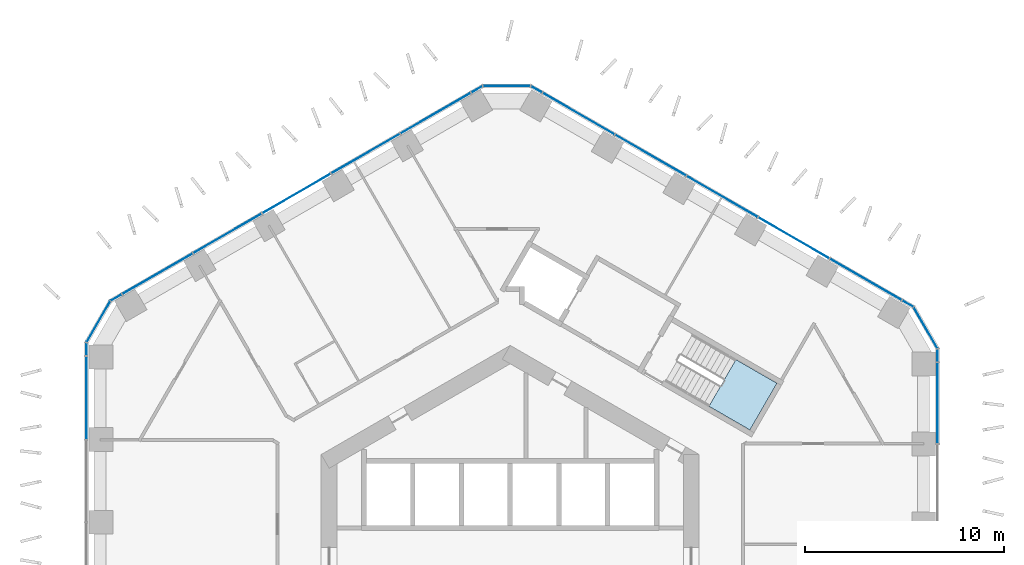
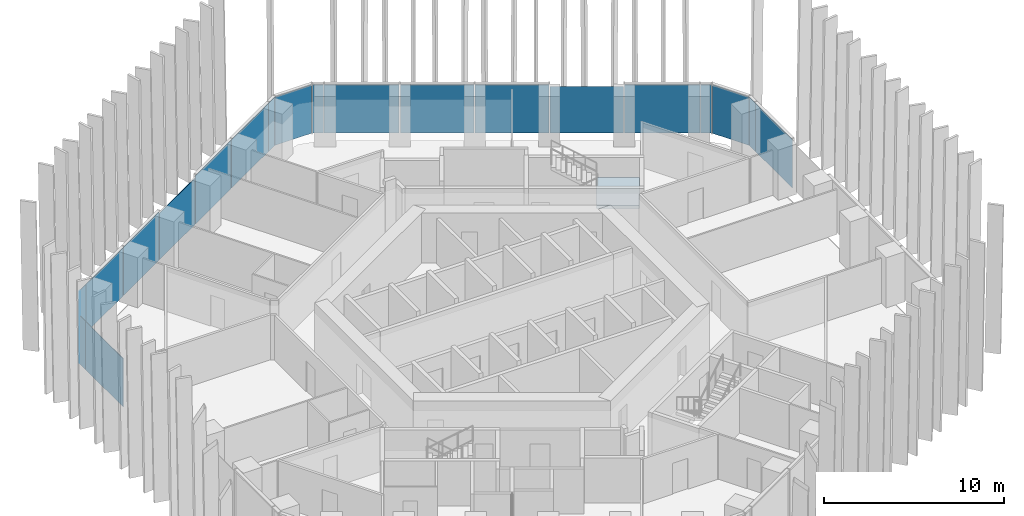
# One storey, part 12 of 20: 21 plates, 1 slab, 8 elements without a shape of their own.
"""IFC4 building model written with IfcOpenShell, lengths in metres."""

from ifc_helpers import new_model, si_unit, direction, frame, origin, origin_2d, place, context, subcontext, project, spatial, polyline, rectangle, outline, extrude, material, layer, layer_set, type_object, element, aggregate, save


model = new_model("IFC4")

# Units and contexts
model_context = context("Model", 3, precision=1e-05, world=origin(), true_north=direction((0.0, 1.0)))
body_context = subcontext(model_context, "Body", "Model", "MODEL_VIEW")
ifc_project = project(units=[si_unit("LENGTHUNIT", "METRE"), si_unit("AREAUNIT", "SQUARE_METRE"), si_unit("VOLUMEUNIT", "CUBIC_METRE"), si_unit("PLANEANGLEUNIT", "RADIAN"), si_unit("MASSUNIT", "GRAM", prefix="KILO")], contexts=[model_context])

# Site, building, storey
site_placement = place(None, origin())
site = spatial("IfcSite", under=ifc_project, at=site_placement, CompositionType="ELEMENT")
building_placement = place(site_placement, origin())
building = spatial("IfcBuilding", under=site, at=building_placement, Name="Ayvan Gate Tower", CompositionType="ELEMENT")
storey_placement = place(building_placement, frame((0.0, 0.0, 35.699951171875)))
storey = spatial("IfcBuildingStorey", under=building, at=storey_placement, Name="L08", CompositionType="ELEMENT", Elevation=35.699951171875)

# Stair, slab
ifc_material_1 = material(Name="Concrete C40/50", Category="concrete")
stair_type = type_object("IfcStairType", Name="ST-EXIT", PredefinedType="HALF_TURN_STAIR", material=ifc_material_1)
stair_placement = place(storey_placement, origin())
stair = element("IfcStair", 1, at=stair_placement, inside=storey, type_object=stair_type, Name="L08 Exit Stair S1", PredefinedType="HALF_TURN_STAIR")
ifc_layer_1 = layer(ifc_material_1, 0.199951171875)
ifc_layer_set_1 = layer_set([ifc_layer_1], Name="Concrete C40/50")
slab_type = type_object("IfcSlabType", Name="SL-LANDING-200", PredefinedType="LANDING", material=ifc_layer_set_1)
slab_placement = place(storey_placement, frame((0.0, 0.0, 1.5)))
slab = element("IfcSlab", 2, at=slab_placement, type_object=slab_type, Name="STS1 landing 1", PredefinedType="LANDING", context=body_context, shape_type="SweptSolid", body=[
    extrude(outline(polyline([(9.988525390625, 7.91064453125), (12.049560546875, 6.720458984375), (13.404541015625, 9.0673828125), (11.343505859375, 10.257568359375), (9.988525390625, 7.91064453125)])), origin(), (0.0, 0.0, 1.0), 0.199951171875),
])
aggregate(stair, [slab])

# Curtain wall, plates
ifc_material_2 = material(Name="Bronze anodised aluminium", Category="aluminium")
ifc_layer_2 = layer(ifc_material_2, 0.199951171875)
ifc_layer_set_2 = layer_set([ifc_layer_2], Name="Bronze anodised aluminium")
curtain_wall_type_1 = type_object("IfcCurtainWallType", Name="Stick curtain wall CW-1", PredefinedType="NOTDEFINED", material=ifc_layer_set_2)
curtain_wall_1_placement = place(storey_placement, origin())
curtain_wall_1 = element("IfcCurtainWall", 3, at=curtain_wall_1_placement, inside=storey, type_object=curtain_wall_type_1, Name="Stick curtain wall CW-1 L08", PredefinedType="NOTDEFINED")
ifc_material_3 = material(Name="Clear low-iron laminated glass", Category="glass")
ifc_layer_3 = layer(ifc_material_3, 0.028076171875)
ifc_layer_set_3 = layer_set([ifc_layer_3], Name="Clear low-iron laminated glass")
plate_type_1 = type_object("IfcPlateType", Name="Stick curtain wall CW-1 glass panel", PredefinedType="CURTAIN_PANEL", material=ifc_layer_set_3)
plate_1_placement = place(storey_placement, frame((-3.739990234375, 22.64892578125, 0.0), z_axis=(0.0, 0.0, 1.0), x_axis=(-0.866025403784, -0.5, 0.0)))
plate_1 = element("IfcPlate", 4, at=plate_1_placement, type_object=plate_type_1, Name="CW-1 glass panel 1", PredefinedType="CURTAIN_PANEL", context=body_context, shape_type="SweptSolid", body=[
    extrude(rectangle(XDim=4.077880859375, YDim=0.028076171875, at=origin_2d()), origin(), (0.0, 0.0, 1.0), 3.280029296875),
])
plate_2_placement = place(storey_placement, frame((-7.2685546875, 20.61181640625, 0.0), z_axis=(0.0, 0.0, 1.0), x_axis=(-0.866025403784, -0.5, 0.0)))
plate_2 = element("IfcPlate", 5, at=plate_2_placement, type_object=plate_type_1, Name="CW-1 glass panel 2", PredefinedType="CURTAIN_PANEL", context=body_context, shape_type="SweptSolid", body=[
    extrude(rectangle(XDim=3.950927734375, YDim=0.028076171875, at=origin_2d()), origin(), (0.0, 0.0, 1.0), 3.280029296875),
])
plate_3_placement = place(storey_placement, frame((-10.7421875, 18.606201171875, 0.0), z_axis=(0.0, 0.0, 1.0), x_axis=(-0.866025403784, -0.5, 0.0)))
plate_3 = element("IfcPlate", 6, at=plate_3_placement, type_object=plate_type_1, Name="CW-1 glass panel 3", PredefinedType="CURTAIN_PANEL", context=body_context, shape_type="SweptSolid", body=[
    extrude(rectangle(XDim=3.950927734375, YDim=0.028076171875, at=origin_2d()), origin(), (0.0, 0.0, 1.0), 3.14990234375),
])
plate_4_placement = place(storey_placement, frame((-14.2158203125, 16.600830078125, 0.0), z_axis=(0.0, 0.0, 1.0), x_axis=(-0.866025403784, -0.5, 0.0)))
plate_4 = element("IfcPlate", 7, at=plate_4_placement, type_object=plate_type_1, Name="CW-1 glass panel 4", PredefinedType="CURTAIN_PANEL", context=body_context, shape_type="SweptSolid", body=[
    extrude(rectangle(XDim=3.950927734375, YDim=0.028076171875, at=origin_2d()), origin(), (0.0, 0.0, 1.0), 3.280029296875),
])
plate_5_placement = place(storey_placement, frame((-17.74462890625, 14.5634765625, 0.0), z_axis=(0.0, 0.0, 1.0), x_axis=(-0.866025403784, -0.5, 0.0)))
plate_5 = element("IfcPlate", 8, at=plate_5_placement, type_object=plate_type_1, Name="CW-1 glass panel 5", PredefinedType="CURTAIN_PANEL", context=body_context, shape_type="SweptSolid", body=[
    extrude(rectangle(XDim=4.078125, YDim=0.028076171875, at=origin_2d()), origin(), (0.0, 0.0, 1.0), 3.280029296875),
])
aggregate(curtain_wall_1, [plate_1, plate_2, plate_3, plate_4, plate_5])

# Curtain wall, plate
curtain_wall_2_placement = place(storey_placement, origin())
curtain_wall_2 = element("IfcCurtainWall", 9, at=curtain_wall_2_placement, inside=storey, type_object=curtain_wall_type_1, Name="Stick curtain wall CW-1 L08", PredefinedType="NOTDEFINED")
plate_6_placement = place(storey_placement, frame((-21.306640625, 8.347900390625, 0.0), z_axis=(0.0, 0.0, 1.0), x_axis=(0.0, -1.0, 0.0)))
plate_6 = element("IfcPlate", 10, at=plate_6_placement, type_object=plate_type_1, Name="CW-1 glass panel 1", PredefinedType="CURTAIN_PANEL", context=body_context, shape_type="SweptSolid", body=[
    extrude(rectangle(XDim=4.169921875, YDim=0.028076171875, at=origin_2d()), origin(), (0.0, 0.0, 1.0), 3.280029296875),
])
aggregate(curtain_wall_2, [plate_6])

curtain_wall_3_placement = place(storey_placement, origin())
curtain_wall_3 = element("IfcCurtainWall", 11, at=curtain_wall_3_placement, inside=storey, type_object=curtain_wall_type_1, Name="Stick curtain wall CW-1 L08", PredefinedType="NOTDEFINED")
plate_7_placement = place(storey_placement, frame((21.484619140625, 8.08544921875, 0.0), z_axis=(0.0, 0.0, 1.0), x_axis=(0.0, 1.0, 0.0)))
plate_7 = element("IfcPlate", 12, at=plate_7_placement, type_object=plate_type_1, Name="CW-1 glass panel 5", PredefinedType="CURTAIN_PANEL", context=body_context, shape_type="SweptSolid", body=[
    extrude(rectangle(XDim=4.078125, YDim=0.028076171875, at=origin_2d()), origin(), (0.0, 0.0, 1.0), 3.280029296875),
])
aggregate(curtain_wall_3, [plate_7])

# Curtain wall, plates
curtain_wall_4_placement = place(storey_placement, origin())
curtain_wall_4 = element("IfcCurtainWall", 13, at=curtain_wall_4_placement, inside=storey, type_object=curtain_wall_type_1, Name="Stick curtain wall CW-1 L08", PredefinedType="NOTDEFINED")
plate_8_placement = place(storey_placement, frame((17.8828125, 14.278076171875, 0.0), z_axis=(0.0, 0.0, 1.0), x_axis=(-0.866025403784, 0.5, 0.0)))
plate_8 = element("IfcPlate", 14, at=plate_8_placement, type_object=plate_type_1, Name="CW-1 glass panel 1", PredefinedType="CURTAIN_PANEL", context=body_context, shape_type="SweptSolid", body=[
    extrude(rectangle(XDim=4.169921875, YDim=0.028076171875, at=origin_2d()), origin(), (0.0, 0.0, 1.0), 3.280029296875),
])
plate_9_placement = place(storey_placement, frame((14.251953125, 16.374267578125, 0.0), z_axis=(0.0, 0.0, 1.0), x_axis=(-0.866025403784, 0.5, 0.0)))
plate_9 = element("IfcPlate", 15, at=plate_9_placement, type_object=plate_type_1, Name="CW-1 glass panel 2", PredefinedType="CURTAIN_PANEL", context=body_context, shape_type="SweptSolid", body=[
    extrude(rectangle(XDim=4.094970703125, YDim=0.028076171875, at=origin_2d()), origin(), (0.0, 0.0, 1.0), 3.14990234375),
])
plate_10_placement = place(storey_placement, frame((10.653564453125, 18.451904296875, 0.0), z_axis=(0.0, 0.0, 1.0), x_axis=(-0.866025403784, 0.5, 0.0)))
plate_10 = element("IfcPlate", 16, at=plate_10_placement, type_object=plate_type_1, Name="CW-1 glass panel 3", PredefinedType="CURTAIN_PANEL", context=body_context, shape_type="SweptSolid", body=[
    extrude(rectangle(XDim=4.094970703125, YDim=0.028076171875, at=origin_2d()), origin(), (0.0, 0.0, 1.0), 3.280029296875),
])
plate_11_placement = place(storey_placement, frame((7.054931640625, 20.529541015625, 0.0), z_axis=(0.0, 0.0, 1.0), x_axis=(-0.866025403784, 0.5, 0.0)))
plate_11 = element("IfcPlate", 17, at=plate_11_placement, type_object=plate_type_1, Name="CW-1 glass panel 4", PredefinedType="CURTAIN_PANEL", context=body_context, shape_type="SweptSolid", body=[
    extrude(rectangle(XDim=4.095947265625, YDim=0.028076171875, at=origin_2d()), origin(), (0.0, 0.0, 1.0), 3.280029296875),
])
plate_12_placement = place(storey_placement, frame((3.423583984375, 22.6259765625, 0.0), z_axis=(0.0, 0.0, 1.0), x_axis=(-0.866025403784, 0.5, 0.0)))
plate_12 = element("IfcPlate", 18, at=plate_12_placement, type_object=plate_type_1, Name="CW-1 glass panel 5", PredefinedType="CURTAIN_PANEL", context=body_context, shape_type="SweptSolid", body=[
    extrude(rectangle(XDim=4.169677734375, YDim=0.028076171875, at=origin_2d()), origin(), (0.0, 0.0, 1.0), 3.280029296875),
])
aggregate(curtain_wall_4, [plate_8, plate_9, plate_10, plate_11, plate_12])

ifc_layer_4 = layer(ifc_material_2, 0.199951171875)
ifc_layer_set_4 = layer_set([ifc_layer_4], Name="Bronze anodised aluminium")
curtain_wall_type_2 = type_object("IfcCurtainWallType", Name="Stick curtain wall CW-6", PredefinedType="NOTDEFINED", material=ifc_layer_set_4)
curtain_wall_5_placement = place(storey_placement, origin())
curtain_wall_5 = element("IfcCurtainWall", 19, at=curtain_wall_5_placement, inside=storey, type_object=curtain_wall_type_2, Name="Stick curtain wall CW-6 L08", PredefinedType="NOTDEFINED")
ifc_layer_5 = layer(ifc_material_3, 0.028076171875)
ifc_layer_set_5 = layer_set([ifc_layer_5], Name="Clear low-iron laminated glass")
plate_type_2 = type_object("IfcPlateType", Name="Stick curtain wall CW-6 glass panel", PredefinedType="CURTAIN_PANEL", material=ifc_layer_set_5)
plate_13_placement = place(storey_placement, frame((-19.80712890625, 13.372802734375, 0.0), z_axis=(0.0, 0.0, 1.0), x_axis=(-0.866025403784, -0.5, 0.0)))
plate_13 = element("IfcPlate", 20, at=plate_13_placement, type_object=plate_type_2, Name="CW-6 glass panel 1", PredefinedType="CURTAIN_PANEL", context=body_context, shape_type="SweptSolid", body=[
    extrude(rectangle(XDim=0.625, YDim=0.028076171875, at=origin_2d()), origin(), (0.0, 0.0, 1.0), 3.280029296875),
])
plate_14_placement = place(storey_placement, frame((-20.702880859375, 12.158447265625, 0.0), z_axis=(0.0, 0.0, 1.0), x_axis=(-0.5, -0.866025403784, 0.0)))
plate_14 = element("IfcPlate", 21, at=plate_14_placement, type_object=plate_type_2, Name="CW-6 glass panel 2", PredefinedType="CURTAIN_PANEL", context=body_context, shape_type="SweptSolid", body=[
    extrude(rectangle(XDim=2.364501953125, YDim=0.028076171875, at=origin_2d()), origin(), (0.0, 0.0, 1.0), 3.280029296875),
])
plate_15_placement = place(storey_placement, frame((-21.306640625, 10.775390625, 0.0), z_axis=(0.0, 0.0, 1.0), x_axis=(0.0, -1.0, 0.0)))
plate_15 = element("IfcPlate", 22, at=plate_15_placement, type_object=plate_type_2, Name="CW-6 glass panel 3", PredefinedType="CURTAIN_PANEL", context=body_context, shape_type="SweptSolid", body=[
    extrude(rectangle(XDim=0.625, YDim=0.028076171875, at=origin_2d()), origin(), (0.0, 0.0, 1.0), 3.280029296875),
])
aggregate(curtain_wall_5, [plate_13, plate_14, plate_15])

curtain_wall_6_placement = place(storey_placement, origin())
curtain_wall_6 = element("IfcCurtainWall", 23, at=curtain_wall_6_placement, inside=storey, type_object=curtain_wall_type_2, Name="Stick curtain wall CW-6 L08", PredefinedType="NOTDEFINED")
plate_16_placement = place(storey_placement, frame((21.484619140625, 10.467041015625, 0.0), z_axis=(0.0, 0.0, 1.0), x_axis=(0.0, 1.0, 0.0)))
plate_16 = element("IfcPlate", 24, at=plate_16_placement, type_object=plate_type_2, Name="CW-6 glass panel 1", PredefinedType="CURTAIN_PANEL", context=body_context, shape_type="SweptSolid", body=[
    extrude(rectangle(XDim=0.625, YDim=0.028076171875, at=origin_2d()), origin(), (0.0, 0.0, 1.0), 3.280029296875),
])
plate_17_placement = place(storey_placement, frame((20.880859375, 11.85009765625, 0.0), z_axis=(0.0, 0.0, 1.0), x_axis=(-0.5, 0.866025403784, 0.0)))
plate_17 = element("IfcPlate", 25, at=plate_17_placement, type_object=plate_type_2, Name="CW-6 glass panel 2", PredefinedType="CURTAIN_PANEL", context=body_context, shape_type="SweptSolid", body=[
    extrude(rectangle(XDim=2.364501953125, YDim=0.028076171875, at=origin_2d()), origin(), (0.0, 0.0, 1.0), 3.280029296875),
])
plate_18_placement = place(storey_placement, frame((19.985107421875, 13.064208984375, 0.0), z_axis=(0.0, 0.0, 1.0), x_axis=(-0.866025403784, 0.5, 0.0)))
plate_18 = element("IfcPlate", 26, at=plate_18_placement, type_object=plate_type_2, Name="CW-6 glass panel 3", PredefinedType="CURTAIN_PANEL", context=body_context, shape_type="SweptSolid", body=[
    extrude(rectangle(XDim=0.625, YDim=0.028076171875, at=origin_2d()), origin(), (0.0, 0.0, 1.0), 3.280029296875),
])
aggregate(curtain_wall_6, [plate_16, plate_17, plate_18])

curtain_wall_7_placement = place(storey_placement, origin())
curtain_wall_7 = element("IfcCurtainWall", 27, at=curtain_wall_7_placement, inside=storey, type_object=curtain_wall_type_2, Name="Stick curtain wall CW-6 L08", PredefinedType="NOTDEFINED")
plate_19_placement = place(storey_placement, frame((1.321533203125, 23.83984375, 0.0), z_axis=(0.0, 0.0, 1.0), x_axis=(-0.866025403784, 0.5, 0.0)))
plate_19 = element("IfcPlate", 28, at=plate_19_placement, type_object=plate_type_2, Name="CW-6 glass panel 1", PredefinedType="CURTAIN_PANEL", context=body_context, shape_type="SweptSolid", body=[
    extrude(rectangle(XDim=0.625, YDim=0.028076171875, at=origin_2d()), origin(), (0.0, 0.0, 1.0), 3.280029296875),
])
plate_20_placement = place(storey_placement, frame((-0.177978515625, 24.008544921875, 0.0), z_axis=(0.0, 0.0, 1.0), x_axis=(-1.0, 0.0, 0.0)))
plate_20 = element("IfcPlate", 29, at=plate_20_placement, type_object=plate_type_2, Name="CW-6 glass panel 2", PredefinedType="CURTAIN_PANEL", context=body_context, shape_type="SweptSolid", body=[
    extrude(rectangle(XDim=2.364501953125, YDim=0.028076171875, at=origin_2d()), origin(), (0.0, 0.0, 1.0), 3.280029296875),
])
plate_21_placement = place(storey_placement, frame((-1.677490234375, 23.83984375, 0.0), z_axis=(0.0, 0.0, 1.0), x_axis=(-0.866025403784, -0.5, 0.0)))
plate_21 = element("IfcPlate", 30, at=plate_21_placement, type_object=plate_type_2, Name="CW-6 glass panel 3", PredefinedType="CURTAIN_PANEL", context=body_context, shape_type="SweptSolid", body=[
    extrude(rectangle(XDim=0.625, YDim=0.028076171875, at=origin_2d()), origin(), (0.0, 0.0, 1.0), 3.280029296875),
])
aggregate(curtain_wall_7, [plate_19, plate_20, plate_21])

save(model, "model.ifc")
